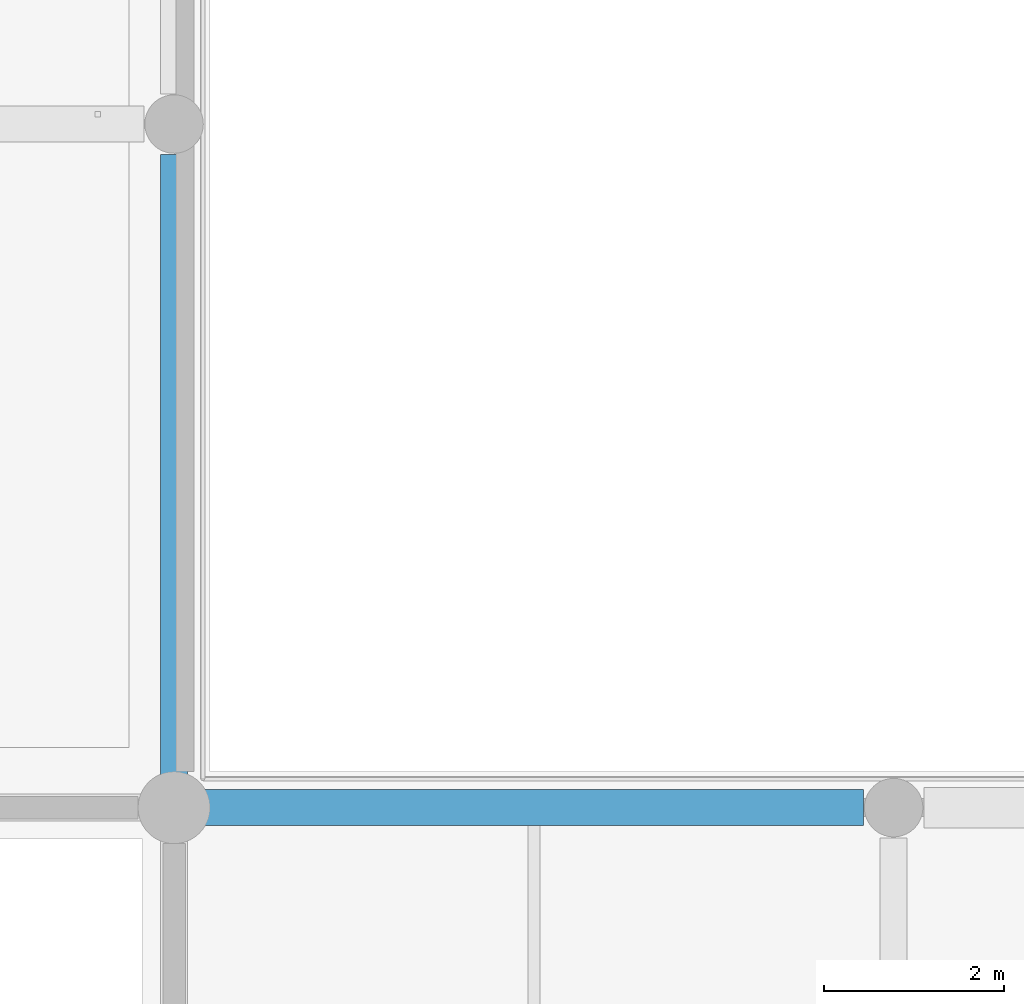
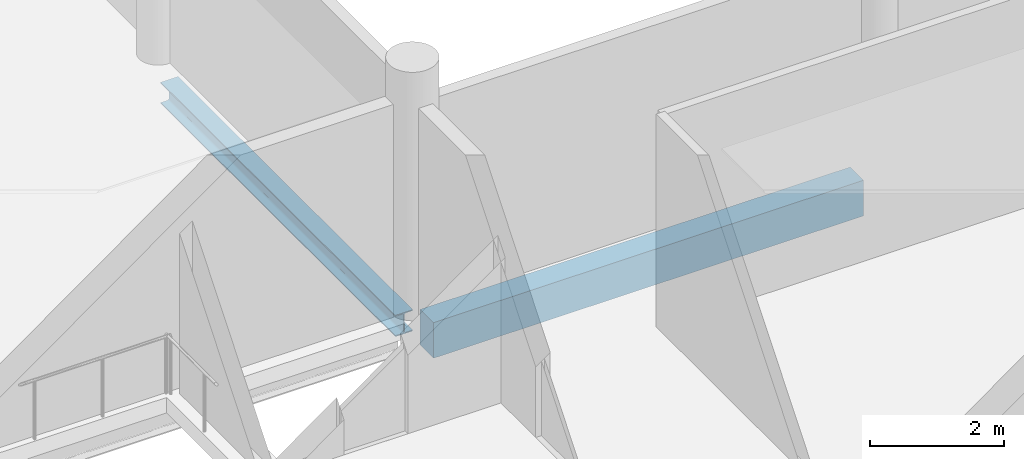
# One storey, part 30 of 107: 2 beams.
"""IFC4 building model written with IfcOpenShell, lengths in metres."""

from ifc_helpers import new_model, si_unit, direction, frame, origin, origin_2d, place, context, subcontext, project, spatial, rectangle, i_section, extrude, material, material_profile, profile_set, type_object, element, save


model = new_model("IFC4")

# Units and contexts
model_context = context("Model", 3, precision=1e-05, world=origin(), true_north=direction((0.0, 1.0)))
body_context = subcontext(model_context, "Body", "Model", "MODEL_VIEW")
ifc_project = project(units=[si_unit("LENGTHUNIT", "METRE"), si_unit("AREAUNIT", "SQUARE_METRE"), si_unit("VOLUMEUNIT", "CUBIC_METRE"), si_unit("PLANEANGLEUNIT", "RADIAN"), si_unit("MASSUNIT", "GRAM", prefix="KILO")], contexts=[model_context])

# Site, building, storey
site_placement = place(None, origin())
site = spatial("IfcSite", under=ifc_project, at=site_placement, CompositionType="ELEMENT")
building_placement = place(site_placement, origin())
building = spatial("IfcBuilding", under=site, at=building_placement, Name="Khelvaren Railside Concert Hall", CompositionType="ELEMENT")
storey_placement = place(building_placement, frame((0.0, 0.0, 15.0)))
storey = spatial("IfcBuildingStorey", under=building, at=storey_placement, Name="L03", CompositionType="ELEMENT", Elevation=15.0)

# Beams
ifc_material_1 = material(Name="Steel S355", Category="steel")
ifc_material_profile_1 = material_profile(ifc_material_1, i_section(OverallWidth=0.300048828125, OverallDepth=0.389892578125, WebThickness=0.010986328125, FlangeThickness=0.01904296875, FilletRadius=0.027099609375, at=origin_2d()), Name="HEA 400")
ifc_profile_set_1 = profile_set([ifc_material_profile_1], Name="Steel S355")
beam_type_1 = type_object("IfcBeamType", Name="BM23", PredefinedType="BEAM", material=ifc_profile_set_1)
beam_1_placement = place(storey_placement, frame((152.0, 7.85009765625, -0.47509765625), z_axis=(0.0, 1.0, 0.0), x_axis=(-1.0, 0.0, 0.0)))
element("IfcBeam", 1, at=beam_1_placement, inside=storey, type_object=beam_type_1, Name="V2 L03 Beam Y2.2", PredefinedType="BEAM", context=body_context, shape_type="SweptSolid", body=[
    extrude(i_section(OverallWidth=0.300048828125, OverallDepth=0.389892578125, WebThickness=0.010986328125, FlangeThickness=0.01904296875, FilletRadius=0.027099609375, at=origin_2d()), origin(), (0.0, 0.0, 1.0), 7.013916015625),
])
ifc_material_2 = material(Name="Concrete C40/50", Category="concrete")
ifc_material_profile_2 = material_profile(ifc_material_2, rectangle(XDim=0.39990234375, YDim=0.64990234375, at=origin_2d()), Name="RCB 400x650")
ifc_profile_set_2 = profile_set([ifc_material_profile_2], Name="Concrete C40/50")
beam_type_2 = type_object("IfcBeamType", Name="BM33", PredefinedType="BEAM", material=ifc_profile_set_2)
beam_2_placement = place(storey_placement, frame((152.25, 7.60009765625, -0.60498046875), z_axis=(1.0, 0.0, 0.0), x_axis=(0.0, 1.0, 0.0)))
element("IfcBeam", 2, at=beam_2_placement, inside=storey, type_object=beam_type_2, Name="V2 L03 Beam X2.2", PredefinedType="BEAM", context=body_context, shape_type="SweptSolid", body=[
    extrude(rectangle(XDim=0.39990234375, YDim=0.64990234375, at=origin_2d()), origin(), (0.0, 0.0, 1.0), 7.4140625),
])

save(model, "model.ifc")
